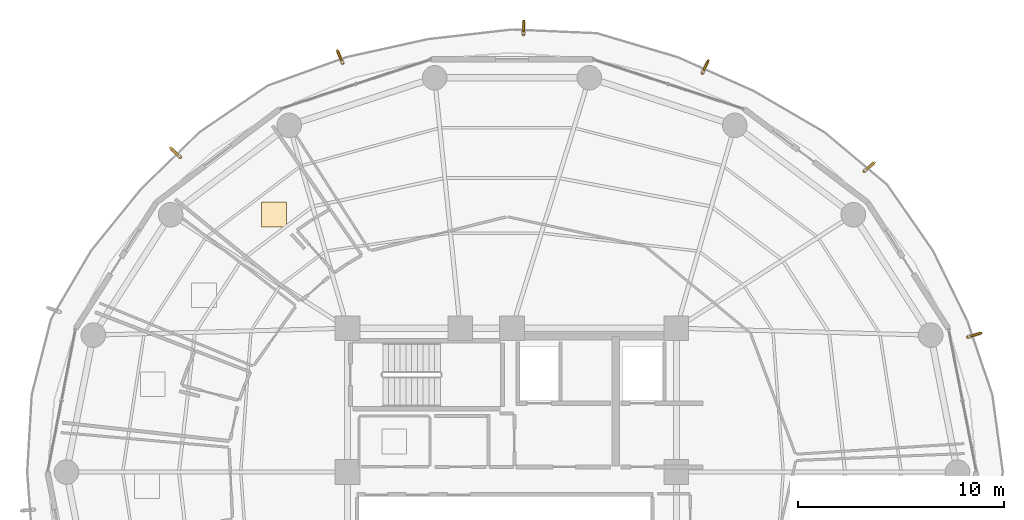
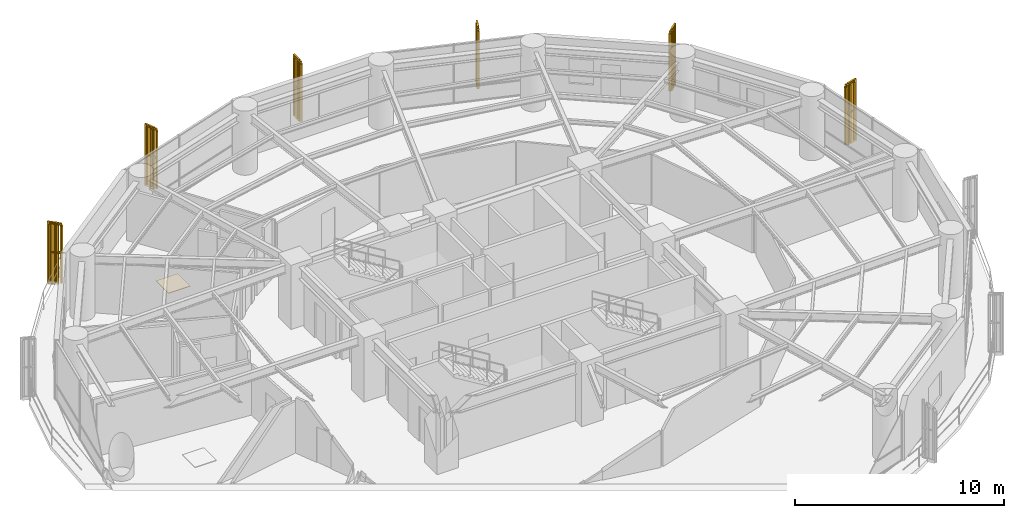
# One storey, part 27 of 27: 6 railings, 6 shading devices, 1 covering.
"""IFC4 building model written with IfcOpenShell, lengths in metres."""

from ifc_helpers import new_model, si_unit, direction, frame, origin, origin_2d, place, context, subcontext, project, spatial, polyline, rectangle, outline, extrude, source, transform, mapped, material, layer, layer_set, type_object, element, save


model = new_model("IFC4")

# Units and contexts
model_context = context("Model", 3, precision=1e-05, world=origin(), true_north=direction((0.0, 1.0)))
body_context = subcontext(model_context, "Body", "Model", "MODEL_VIEW")
ifc_project = project(units=[si_unit("LENGTHUNIT", "METRE"), si_unit("AREAUNIT", "SQUARE_METRE"), si_unit("VOLUMEUNIT", "CUBIC_METRE"), si_unit("PLANEANGLEUNIT", "RADIAN"), si_unit("MASSUNIT", "GRAM", prefix="KILO")], contexts=[model_context])

# Site, building, storey
site_placement = place(None, origin())
site = spatial("IfcSite", under=ifc_project, at=site_placement, CompositionType="ELEMENT")
building_placement = place(site_placement, origin())
building = spatial("IfcBuilding", under=site, at=building_placement, Name="Kelanora Arch Commons", CompositionType="ELEMENT")
storey_placement = place(building_placement, frame((0.0, 0.0, 165.60009765625)))
storey = spatial("IfcBuildingStorey", under=building, at=storey_placement, Name="L42", CompositionType="ELEMENT", Elevation=165.60009765625)

# Railings
ifc_material_1 = material(Name="Anodised bronze vertical shading fin rib assembly")
railing_type = type_object("IfcRailingType", Name="RAIL-FIN-BRZ", PredefinedType="BALUSTRADE", material=ifc_material_1)
railing_1_placement = place(storey_placement, frame((96.185546875, 64.572021484375, -0.02001953125)))
element("IfcRailing", 1, at=railing_1_placement, inside=storey, type_object=railing_type, Name="Sweeping Bronze Vertical Fin Blade L42-01", PredefinedType="BALUSTRADE", context=body_context, shape_type="SweptSolid", body=[
    extrude(outline(polyline([(0.06982421875, 0.0), (0.034912109375, 0.060546875), (-0.034912109375, 0.060546875), (-0.06982421875, 0.0), (-0.034912109375, -0.060546875), (0.034912109375, -0.060546875), (0.06982421875, 0.0)])), frame((0.0, 0.0, 3.419921875), z_axis=(0.958759414913, 0.28421890211, 0.0), x_axis=(-0.28421890211, 0.958759414913, 0.0)), (0.0, 0.0, 1.0), 0.572998046875),
    extrude(outline(polyline([(0.06982421875, 0.0), (0.034912109375, 0.060546875), (-0.034912109375, 0.060546875), (-0.06982421875, 0.0), (-0.034912109375, -0.060546875), (0.034912109375, -0.060546875), (0.06982421875, 0.0)])), frame((0.0, 0.0, 1.7451171875), z_axis=(0.958759414913, 0.28421890211, 0.0), x_axis=(-0.28421890211, 0.958759414913, 0.0)), (0.0, 0.0, 1.0), 0.572998046875),
    extrude(outline(polyline([(0.080078125, 0.0), (0.0400390625, 0.0693359375), (-0.0400390625, 0.0693359375), (-0.080078125, 0.0), (-0.0400390625, -0.0693359375), (0.0400390625, -0.0693359375), (0.080078125, 0.0)])), origin(), (0.0, 0.0, 1.0), 3.35009765625),
    extrude(outline(polyline([(0.080078125, 0.0), (0.0400390625, 0.0693359375), (-0.0400390625, 0.0693359375), (-0.080078125, 0.0), (-0.0400390625, -0.0693359375), (0.0400390625, -0.0693359375), (0.080078125, 0.0)])), frame((0.274658203125, 0.08154296875, 0.0)), (0.0, 0.0, 1.0), 3.35009765625),
    extrude(outline(polyline([(0.080078125, 0.0), (0.0400390625, 0.0693359375), (-0.0400390625, 0.0693359375), (-0.080078125, 0.0), (-0.0400390625, -0.0693359375), (0.0400390625, -0.0693359375), (0.080078125, 0.0)])), frame((0.54931640625, 0.162841796875, 0.0)), (0.0, 0.0, 1.0), 3.35009765625),
])
railing_2_placement = place(storey_placement, frame((91.13623046875, 72.63623046875, -0.02001953125)))
element("IfcRailing", 2, at=railing_2_placement, inside=storey, type_object=railing_type, Name="Sweeping Bronze Vertical Fin Blade L42-02", PredefinedType="BALUSTRADE", context=body_context, shape_type="SweptSolid", body=[
    extrude(outline(polyline([(0.06982421875, 0.0), (0.034912109375, 0.060546875), (-0.034912109375, 0.060546875), (-0.06982421875, 0.0), (-0.034912109375, -0.060546875), (0.034912109375, -0.060546875), (0.06982421875, 0.0)])), frame((0.0, 0.0, 3.419921875), z_axis=(0.760518316825, 0.649316478902, 0.0), x_axis=(-0.649316478902, 0.760518316825, 0.0)), (0.0, 0.0, 1.0), 0.572998046875),
    extrude(outline(polyline([(0.06982421875, 0.0), (0.034912109375, 0.060546875), (-0.034912109375, 0.060546875), (-0.06982421875, 0.0), (-0.034912109375, -0.060546875), (0.034912109375, -0.060546875), (0.06982421875, 0.0)])), frame((0.0, 0.0, 1.7451171875), z_axis=(0.760518316825, 0.649316478902, 0.0), x_axis=(-0.649316478902, 0.760518316825, 0.0)), (0.0, 0.0, 1.0), 0.572998046875),
    extrude(outline(polyline([(0.080078125, 0.0), (0.0400390625, 0.0693359375), (-0.0400390625, 0.0693359375), (-0.080078125, 0.0), (-0.0400390625, -0.0693359375), (0.0400390625, -0.0693359375), (0.080078125, 0.0)])), origin(), (0.0, 0.0, 1.0), 3.35009765625),
    extrude(outline(polyline([(0.080078125, 0.0), (0.0400390625, 0.0693359375), (-0.0400390625, 0.0693359375), (-0.080078125, 0.0), (-0.0400390625, -0.0693359375), (0.0400390625, -0.0693359375), (0.080078125, 0.0)])), frame((0.2177734375, 0.18603515625, 0.0)), (0.0, 0.0, 1.0), 3.35009765625),
    extrude(outline(polyline([(0.080078125, 0.0), (0.0400390625, 0.0693359375), (-0.0400390625, 0.0693359375), (-0.080078125, 0.0), (-0.0400390625, -0.0693359375), (0.0400390625, -0.0693359375), (0.080078125, 0.0)])), frame((0.435791015625, 0.3720703125, 0.0)), (0.0, 0.0, 1.0), 3.35009765625),
])
railing_3_placement = place(storey_placement, frame((83.260009765625, 77.415283203125, -0.02001953125)))
element("IfcRailing", 3, at=railing_3_placement, inside=storey, type_object=railing_type, Name="Sweeping Bronze Vertical Fin Blade L42-03", PredefinedType="BALUSTRADE", context=body_context, shape_type="SweptSolid", body=[
    extrude(outline(polyline([(0.06982421875, 0.0), (0.034912109375, 0.060546875), (-0.034912109375, 0.060546875), (-0.06982421875, 0.0), (-0.034912109375, -0.060546875), (0.034912109375, -0.060546875), (0.06982421875, 0.0)])), frame((0.0, 0.0, 3.419921875), z_axis=(0.430595422258, 0.902545058338, 0.0), x_axis=(-0.902545058338, 0.430595422258, 0.0)), (0.0, 0.0, 1.0), 0.57275390625),
    extrude(outline(polyline([(0.06982421875, 0.0), (0.034912109375, 0.060546875), (-0.034912109375, 0.060546875), (-0.06982421875, 0.0), (-0.034912109375, -0.060546875), (0.034912109375, -0.060546875), (0.06982421875, 0.0)])), frame((0.0, 0.0, 1.7451171875), z_axis=(0.430595422258, 0.902545058338, 0.0), x_axis=(-0.902545058338, 0.430595422258, 0.0)), (0.0, 0.0, 1.0), 0.57275390625),
    extrude(outline(polyline([(0.080078125, 0.0), (0.0400390625, 0.0693359375), (-0.0400390625, 0.0693359375), (-0.080078125, 0.0), (-0.0400390625, -0.0693359375), (0.0400390625, -0.0693359375), (0.080078125, 0.0)])), origin(), (0.0, 0.0, 1.0), 3.35009765625),
    extrude(outline(polyline([(0.080078125, 0.0), (0.0400390625, 0.0693359375), (-0.0400390625, 0.0693359375), (-0.080078125, 0.0), (-0.0400390625, -0.0693359375), (0.0400390625, -0.0693359375), (0.080078125, 0.0)])), frame((0.123291015625, 0.25830078125, 0.0)), (0.0, 0.0, 1.0), 3.35009765625),
    extrude(outline(polyline([(0.080078125, 0.0), (0.0400390625, 0.0693359375), (-0.0400390625, 0.0693359375), (-0.080078125, 0.0), (-0.0400390625, -0.0693359375), (0.0400390625, -0.0693359375), (0.080078125, 0.0)])), frame((0.24658203125, 0.516845703125, 0.0)), (0.0, 0.0, 1.0), 3.35009765625),
])
railing_4_placement = place(storey_placement, frame((74.55712890625, 79.2900390625, -0.02001953125)))
element("IfcRailing", 4, at=railing_4_placement, inside=storey, type_object=railing_type, Name="Sweeping Bronze Vertical Fin Blade L42-04", PredefinedType="BALUSTRADE", context=body_context, shape_type="SweptSolid", body=[
    extrude(outline(polyline([(0.06982421875, 0.0), (0.034912109375, 0.060546875), (-0.034912109375, 0.060546875), (-0.06982421875, 0.0), (-0.034912109375, -0.060546875), (0.034912109375, -0.060546875), (0.06982421875, 0.0)])), frame((0.0, 0.0, 3.419921875), z_axis=(0.026003996662, 0.999661838902, 0.0), x_axis=(-0.999661838902, 0.026003996662, 0.0)), (0.0, 0.0, 1.0), 0.57275390625),
    extrude(outline(polyline([(0.06982421875, 0.0), (0.034912109375, 0.060546875), (-0.034912109375, 0.060546875), (-0.06982421875, 0.0), (-0.034912109375, -0.060546875), (0.034912109375, -0.060546875), (0.06982421875, 0.0)])), frame((0.0, 0.0, 1.7451171875), z_axis=(0.026003996662, 0.999661838902, 0.0), x_axis=(-0.999661838902, 0.026003996662, 0.0)), (0.0, 0.0, 1.0), 0.57275390625),
    extrude(outline(polyline([(0.080078125, 0.0), (0.0400390625, 0.0693359375), (-0.0400390625, 0.0693359375), (-0.080078125, 0.0), (-0.0400390625, -0.0693359375), (0.0400390625, -0.0693359375), (0.080078125, 0.0)])), origin(), (0.0, 0.0, 1.0), 3.35009765625),
    extrude(outline(polyline([(0.080078125, 0.0), (0.0400390625, 0.0693359375), (-0.0400390625, 0.0693359375), (-0.080078125, 0.0), (-0.0400390625, -0.0693359375), (0.0400390625, -0.0693359375), (0.080078125, 0.0)])), frame((0.00732421875, 0.2861328125, 0.0)), (0.0, 0.0, 1.0), 3.35009765625),
    extrude(outline(polyline([(0.080078125, 0.0), (0.0400390625, 0.0693359375), (-0.0400390625, 0.0693359375), (-0.080078125, 0.0), (-0.0400390625, -0.0693359375), (0.0400390625, -0.0693359375), (0.080078125, 0.0)])), frame((0.014892578125, 0.572509765625, 0.0)), (0.0, 0.0, 1.0), 3.35009765625),
])
railing_5_placement = place(storey_placement, frame((65.760498046875, 77.89111328125, -0.02001953125)))
element("IfcRailing", 5, at=railing_5_placement, inside=storey, type_object=railing_type, Name="Sweeping Bronze Vertical Fin Blade L42-05", PredefinedType="BALUSTRADE", context=body_context, shape_type="SweptSolid", body=[
    extrude(outline(polyline([(0.06982421875, 0.0), (0.034912109375, 0.060546875), (-0.034912109375, 0.060546875), (-0.06982421875, 0.0), (-0.034912109375, -0.060546875), (0.034912109375, -0.060546875), (0.06982421875, 0.0)])), frame((0.0, 0.0, 3.419921875), z_axis=(-0.382828692509, 0.92381935041, 0.0), x_axis=(-0.92381935041, -0.382828692509, 0.0)), (0.0, 0.0, 1.0), 0.57275390625),
    extrude(outline(polyline([(0.06982421875, 0.0), (0.034912109375, 0.060546875), (-0.034912109375, 0.060546875), (-0.06982421875, 0.0), (-0.034912109375, -0.060546875), (0.034912109375, -0.060546875), (0.06982421875, 0.0)])), frame((0.0, 0.0, 1.7451171875), z_axis=(-0.382828692509, 0.92381935041, 0.0), x_axis=(-0.92381935041, -0.382828692509, 0.0)), (0.0, 0.0, 1.0), 0.57275390625),
    extrude(outline(polyline([(0.080078125, 0.0), (0.0400390625, 0.0693359375), (-0.0400390625, 0.0693359375), (-0.080078125, 0.0), (-0.0400390625, -0.0693359375), (0.0400390625, -0.0693359375), (0.080078125, 0.0)])), origin(), (0.0, 0.0, 1.0), 3.35009765625),
    extrude(outline(polyline([(0.080078125, 0.0), (0.0400390625, 0.0693359375), (-0.0400390625, 0.0693359375), (-0.080078125, 0.0), (-0.0400390625, -0.0693359375), (0.0400390625, -0.0693359375), (0.080078125, 0.0)])), frame((-0.109619140625, 0.2646484375, 0.0)), (0.0, 0.0, 1.0), 3.35009765625),
    extrude(outline(polyline([(0.080078125, 0.0), (0.0400390625, 0.0693359375), (-0.0400390625, 0.0693359375), (-0.080078125, 0.0), (-0.0400390625, -0.0693359375), (0.0400390625, -0.0693359375), (0.080078125, 0.0)])), frame((-0.21923828125, 0.529052734375, 0.0)), (0.0, 0.0, 1.0), 3.35009765625),
])
railing_6_placement = place(storey_placement, frame((57.85595703125, 73.319580078125, -0.02001953125)))
element("IfcRailing", 6, at=railing_6_placement, inside=storey, type_object=railing_type, Name="Sweeping Bronze Vertical Fin Blade L42-06", PredefinedType="BALUSTRADE", context=body_context, shape_type="SweptSolid", body=[
    extrude(outline(polyline([(0.06982421875, 0.0), (0.034912109375, 0.060546875), (-0.034912109375, 0.060546875), (-0.06982421875, 0.0), (-0.034912109375, -0.060546875), (0.034912109375, -0.060546875), (0.06982421875, 0.0)])), frame((0.0, 0.0, 3.419921875), z_axis=(-0.72540367288, 0.688323696652, 0.0), x_axis=(-0.688323696652, -0.72540367288, 0.0)), (0.0, 0.0, 1.0), 0.57275390625),
    extrude(outline(polyline([(0.06982421875, 0.0), (0.034912109375, 0.060546875), (-0.034912109375, 0.060546875), (-0.06982421875, 0.0), (-0.034912109375, -0.060546875), (0.034912109375, -0.060546875), (0.06982421875, 0.0)])), frame((0.0, 0.0, 1.7451171875), z_axis=(-0.72540367288, 0.688323696652, 0.0), x_axis=(-0.688323696652, -0.72540367288, 0.0)), (0.0, 0.0, 1.0), 0.57275390625),
    extrude(outline(polyline([(0.080078125, 0.0), (0.0400390625, 0.0693359375), (-0.0400390625, 0.0693359375), (-0.080078125, 0.0), (-0.0400390625, -0.0693359375), (0.0400390625, -0.0693359375), (0.080078125, 0.0)])), origin(), (0.0, 0.0, 1.0), 3.35009765625),
    extrude(outline(polyline([(0.080078125, 0.0), (0.0400390625, 0.0693359375), (-0.0400390625, 0.0693359375), (-0.080078125, 0.0), (-0.0400390625, -0.0693359375), (0.0400390625, -0.0693359375), (0.080078125, 0.0)])), frame((-0.207763671875, 0.197265625, 0.0)), (0.0, 0.0, 1.0), 3.35009765625),
    extrude(outline(polyline([(0.080078125, 0.0), (0.0400390625, 0.0693359375), (-0.0400390625, 0.0693359375), (-0.080078125, 0.0), (-0.0400390625, -0.0693359375), (0.0400390625, -0.0693359375), (0.080078125, 0.0)])), frame((-0.41552734375, 0.394287109375, 0.0)), (0.0, 0.0, 1.0), 3.35009765625),
])

# Shading devices
ifc_material_2 = material(Name="Terracotta ceramic-clad extruded aluminium fin", Category="masonry")
shading_device_type = type_object("IfcShadingDeviceType", Name="SHD-FIN-WAIST", PredefinedType="USERDEFINED", material=ifc_material_2)
shared_shape_1 = source(origin(), body_context, "Body", "SweptSolid", [
    extrude(rectangle(XDim=0.56005859375, YDim=0.090087890625, at=origin_2d()), origin(), (0.0, 0.0, 1.0), 3.610107421875),
])
for number, where, z_axis, x_axis, name in (
    (7, (96.594482421875, 64.693115234375, -0.14013671875), (0.0, 0.0, 1.0), (0.958819734868, 0.284015344704, 0.0), "Sweeping Terracotta Fin L42-01"),
    (8, (91.46044921875, 72.9130859375, -0.14013671875), (0.0, 0.0, 1.0), (0.7604059656, 0.64944804833, 0.0), "Sweeping Terracotta Fin L42-02"),
    (9, (83.443603515625, 77.800048828125, -0.14013671875), (0.0, 0.0, 1.0), (0.430511096808, 0.90258528435, 0.0), "Sweeping Terracotta Fin L42-03"),
    (10, (74.568359375, 79.71630859375, -0.14013671875), (0.0, 0.0, 1.0), (0.026176948308, 0.999657324976, 0.0), "Sweeping Terracotta Fin L42-04"),
    (11, (65.597412109375, 78.284912109375, -0.14013671875), (0.0, 0.0, 1.0), (-0.382683432365, 0.923879532511, 0.0), "Sweeping Terracotta Fin L42-05"),
    (12, (57.546630859375, 73.613037109375, -0.14013671875), (0.0, 0.0, 1.0), (-0.725374371012, 0.688354575694, 0.0), "Sweeping Terracotta Fin L42-06"),
):
    element("IfcShadingDevice", number, at=place(storey_placement, frame(where, z_axis=z_axis, x_axis=x_axis)), inside=storey, type_object=shading_device_type, Name=name, ObjectType="FIN", PredefinedType="USERDEFINED", context=body_context, shape_type="MappedRepresentation", body=[
        mapped(shared_shape_1, transform((0.0, 0.0, 0.0), scale=1.0)),
    ])

# Covering
ifc_material_3 = material(Name="Polished local granite terrazzo flooring", Category="masonry")
ifc_layer = layer(ifc_material_3, 0.030029296875)
ifc_layer_set = layer_set([ifc_layer], Name="Polished local granite terrazzo flooring")
covering_type = type_object("IfcCoveringType", Name="COV-FLR-TER", PredefinedType="FLOORING", material=ifc_layer_set)
shared_shape_2 = source(origin(), body_context, "Body", "SweptSolid", [
    extrude(rectangle(XDim=1.199951171875, YDim=1.199951171875, at=origin_2d()), origin(), (0.0, 0.0, 1.0), 0.030029296875),
])
covering_placement = place(storey_placement, frame((62.422607421875, 70.52978515625, 0.0), z_axis=(0.0, 0.0, 1.0), x_axis=(1.0, 0.0, 0.0)))
element("IfcCovering", 13, at=covering_placement, inside=storey, type_object=covering_type, Name="Cluster Bedroom L42-01 Terrazzo Finish", PredefinedType="FLOORING", context=body_context, shape_type="MappedRepresentation", body=[
    mapped(shared_shape_2, transform((0.0, 0.0, 0.0), scale=1.0)),
])

save(model, "model.ifc")
